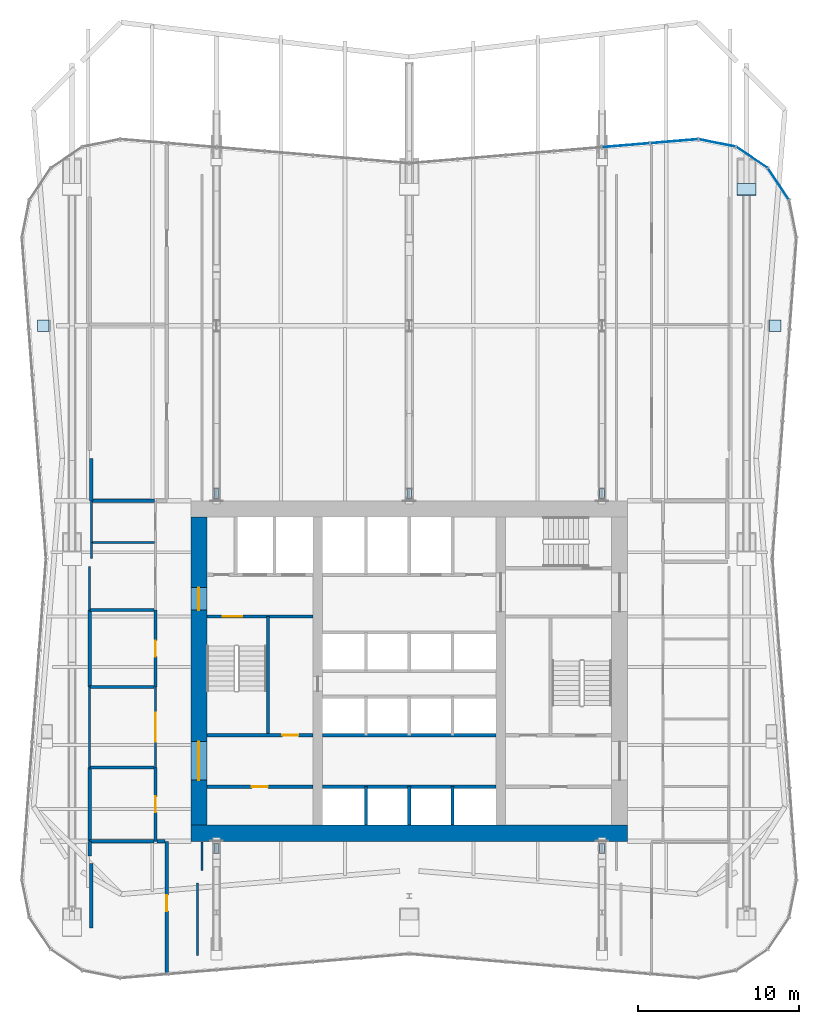
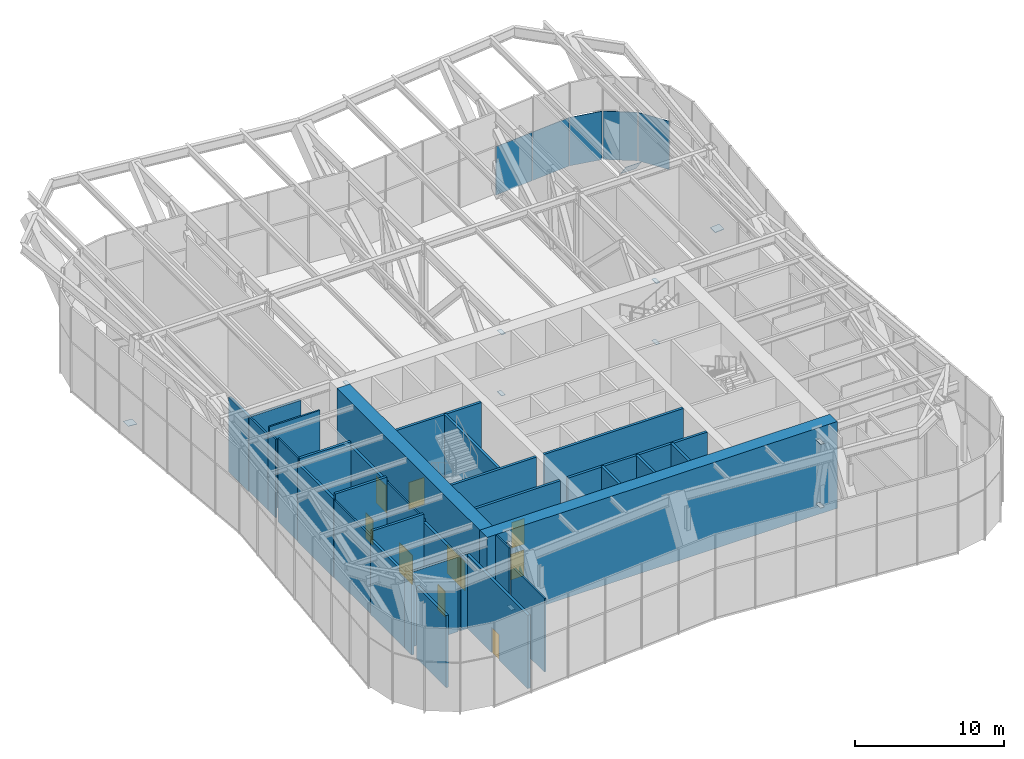
# One storey, part 10 of 16: 33 walls, 18 plates, 9 doors, 9 openings, 2 elements without a shape of their own.
"""IFC4 building model written with IfcOpenShell, lengths in metres."""

from ifc_helpers import new_model, si_unit, direction, frame, frame_2d, origin, origin_2d, place, context, subcontext, project, spatial, rectangle, extrude, material, layer, layer_set, type_object, element, fill, aggregate, save


model = new_model("IFC4")

# Units and contexts
model_context = context("Model", 3, precision=1e-05, world=origin(), true_north=direction((0.0, 1.0)))
body_context = subcontext(model_context, "Body", "Model", "MODEL_VIEW")
ifc_project = project(units=[si_unit("LENGTHUNIT", "METRE"), si_unit("AREAUNIT", "SQUARE_METRE"), si_unit("VOLUMEUNIT", "CUBIC_METRE"), si_unit("PLANEANGLEUNIT", "RADIAN"), si_unit("MASSUNIT", "GRAM", prefix="KILO")], contexts=[model_context])

# Site, building, storey
site_placement = place(None, origin())
site = spatial("IfcSite", under=ifc_project, at=site_placement, CompositionType="ELEMENT")
building_placement = place(site_placement, origin())
building = spatial("IfcBuilding", under=site, at=building_placement, Name="Verdant Reach Tower", CompositionType="ELEMENT")
storey_placement = place(building_placement, frame((0.0, 0.0, 170.0)))
storey = spatial("IfcBuildingStorey", under=building, at=storey_placement, Name="L39 Plant", CompositionType="ELEMENT", Elevation=170.0)

# Curtain wall, plates
ifc_material_1 = material(Name="Anodised aluminium", Category="aluminium")
curtain_wall_type = type_object("IfcCurtainWallType", Name="EN-CW SYSTEM PLANT", PredefinedType="NOTDEFINED", material=ifc_material_1)
curtain_wall_1_placement = place(storey_placement, origin())
curtain_wall_1 = element("IfcCurtainWall", 1, at=curtain_wall_1_placement, inside=storey, type_object=curtain_wall_type, Name="Curtain wall north-east corner, L39", PredefinedType="NOTDEFINED")
ifc_material_2 = material(Name="Bronze anodised aluminium solid panel", Category="aluminium")
ifc_layer_1 = layer(ifc_material_2, 0.0400390625)
ifc_layer_set_1 = layer_set([ifc_layer_1], Name="EN-PANEL SOLID")
plate_type_1 = type_object("IfcPlateType", Name="EN-PANEL SOLID", PredefinedType="CURTAIN_PANEL", material=ifc_layer_set_1)
plate_1_placement = place(storey_placement, frame((22.989990234375, 58.334228515625, -0.199951171875), z_axis=(0.0, 0.0, 1.0), x_axis=(-0.555596466265, 0.83145208321, 0.0)))
plate_1 = element("IfcPlate", 2, at=plate_1_placement, type_object=plate_type_1, Name="Solid panel north-east corner 2.1, L39", PredefinedType="CURTAIN_PANEL", context=body_context, shape_type="SweptSolid", body=[
    extrude(rectangle(XDim=2.3115234375, YDim=0.0400390625, at=origin_2d()), origin(), (0.0, 0.0, 1.0), 3.97509765625),
])
plate_2_placement = place(storey_placement, frame((21.334228515625, 59.989990234375, -0.199951171875), z_axis=(0.0, 0.0, 1.0), x_axis=(-0.83145208321, 0.555596466265, 0.0)))
plate_2 = element("IfcPlate", 3, at=plate_2_placement, type_object=plate_type_1, Name="Solid panel north-east corner 3.1, L39", PredefinedType="CURTAIN_PANEL", context=body_context, shape_type="SweptSolid", body=[
    extrude(rectangle(XDim=2.3115234375, YDim=0.0400390625, at=origin_2d()), origin(), (0.0, 0.0, 1.0), 3.97509765625),
])
plate_3_placement = place(storey_placement, frame((19.174072265625, 60.885986328125, -0.199951171875), z_axis=(0.0, 0.0, 1.0), x_axis=(-0.980694678629, 0.195545256419, 0.0)))
plate_3 = element("IfcPlate", 4, at=plate_3_placement, type_object=plate_type_1, Name="Solid panel north-east corner 4.1, L39", PredefinedType="CURTAIN_PANEL", context=body_context, shape_type="SweptSolid", body=[
    extrude(rectangle(XDim=2.304931640625, YDim=0.0400390625, at=origin_2d()), origin(), (0.0, 0.0, 1.0), 3.97509765625),
])
aggregate(curtain_wall_1, [plate_1, plate_2, plate_3])

curtain_wall_2_placement = place(storey_placement, origin())
curtain_wall_2 = element("IfcCurtainWall", 5, at=curtain_wall_2_placement, inside=storey, type_object=curtain_wall_type, Name="Curtain wall north, L39", PredefinedType="NOTDEFINED")
plate_4_placement = place(storey_placement, frame((16.49853515625, 60.99365234375, -0.199951171875), z_axis=(0.0, 0.0, 1.0), x_axis=(-0.996577509664, -0.082663578629, 0.0)))
plate_4 = element("IfcPlate", 6, at=plate_4_placement, type_object=plate_type_1, Name="Solid panel north face part 1 1.1, L39", PredefinedType="CURTAIN_PANEL", context=body_context, shape_type="SweptSolid", body=[
    extrude(rectangle(XDim=2.950927734375, YDim=0.0400390625, at=origin_2d()), origin(), (0.0, 0.0, 1.0), 3.97509765625),
])
plate_5_placement = place(storey_placement, frame((13.490234375, 60.74365234375, -0.199951171875), z_axis=(0.0, 0.0, 1.0), x_axis=(-0.996545758244, -0.083045479859, 0.0)))
plate_5 = element("IfcPlate", 7, at=plate_5_placement, type_object=plate_type_1, Name="Solid panel north face part 1 2.1, L39", PredefinedType="CURTAIN_PANEL", context=body_context, shape_type="SweptSolid", body=[
    extrude(rectangle(XDim=2.934326171875, YDim=0.0400390625, at=origin_2d()), origin(), (0.0, 0.0, 1.0), 3.97509765625),
])
aggregate(curtain_wall_2, [plate_4, plate_5])

# Plates
ifc_material_3 = material(Name="Steel S460", Category="steel")
ifc_layer_2 = layer(ifc_material_3, 0.02001953125)
ifc_layer_set_2 = layer_set([ifc_layer_2], Name="ST-PLATE-END20")
plate_type_2 = type_object("IfcPlateType", Name="ST-PLATE-END20", PredefinedType="SHEET", material=ifc_layer_set_2)
plate_6_placement = place(storey_placement, frame((21.0, 57.98388671875, 0.482177734375), z_axis=(0.0, 0.802910201746, 0.596099998266), x_axis=(-1.0, 0.0, 0.0)))
element("IfcPlate", 8, at=plate_6_placement, inside=storey, type_object=plate_type_2, Name="Cap plate, mega column north-east, L39 Plant", PredefinedType="SHEET", context=body_context, shape_type="SweptSolid", body=[
    extrude(rectangle(XDim=1.199951171875, YDim=1.199951171875, at=origin_2d()), origin(), (0.0, 0.0, 1.0), 0.02001953125),
])
for number, where, z_axis, x_axis, name in (
    (9, (22.7890625, 49.5, 0.029296875), (-0.072975638312, 0.0, 0.997333723592), (0.0, -1.0, 0.0), "Cap plate, perimeter column east 2, L39 Plant"),
    (10, (-22.7890625, 49.5, 0.029296875), (0.072975638312, 0.0, 0.997333723592), (0.0, 1.0, 0.0), "Cap plate, perimeter column west 2, L39 Plant"),
):
    element("IfcPlate", number, at=place(storey_placement, frame(where, z_axis=z_axis, x_axis=x_axis)), inside=storey, type_object=plate_type_2, Name=name, PredefinedType="SHEET", context=body_context, shape_type="SweptSolid", body=[
        extrude(rectangle(XDim=0.699951171875, YDim=0.699951171875, at=origin_2d()), origin(), (0.0, 0.0, 1.0), 0.02001953125),
    ])
for number, where, z_axis, x_axis, name in (
    (11, (-12.0, 39.050048828125, 0.81396484375), (0.0, 0.0, 1.0), (1.0, 0.0, 0.0), "End plate, outrigger truss C north end post bottom, L39 Plant"),
    (12, (-12.0, 39.050048828125, 5.842041015625), (0.0, 0.0, 1.0), (1.0, 0.0, 0.0), "End plate, outrigger truss C north end post top, L39 Plant"),
    (13, (-12.0, 16.949951171875, 0.81396484375), (0.0, 0.0, 1.0), (1.0, 0.0, 0.0), "End plate, outrigger truss C south end post bottom, L39 Plant"),
    (14, (-12.0, 16.949951171875, 6.035888671875), (0.0, 0.0, 1.0), (1.0, 0.0, 0.0), "End plate, outrigger truss C south end post top, L39 Plant"),
    (15, (0.0, 39.050048828125, 0.81396484375), (0.0, 0.0, 1.0), (1.0, 0.0, 0.0), "End plate, outrigger truss D north end post bottom, L39 Plant"),
    (16, (0.0, 39.050048828125, 5.842041015625), (0.0, 0.0, 1.0), (1.0, 0.0, 0.0), "End plate, outrigger truss D north end post top, L39 Plant"),
    (17, (12.0, 39.050048828125, 0.81396484375), (0.0, 0.0, 1.0), (1.0, 0.0, 0.0), "End plate, outrigger truss E north end post bottom, L39 Plant"),
    (18, (12.0, 39.050048828125, 5.842041015625), (0.0, 0.0, 1.0), (1.0, 0.0, 0.0), "End plate, outrigger truss E north end post top, L39 Plant"),
    (19, (12.0, 16.949951171875, 0.81396484375), (0.0, 0.0, 1.0), (1.0, 0.0, 0.0), "End plate, outrigger truss E south end post bottom, L39 Plant"),
    (20, (12.0, 16.949951171875, 6.035888671875), (0.0, 0.0, 1.0), (1.0, 0.0, 0.0), "End plate, outrigger truss E south end post top, L39 Plant"),
):
    element("IfcPlate", number, at=place(storey_placement, frame(where, z_axis=z_axis, x_axis=x_axis)), inside=storey, type_object=plate_type_2, Name=name, PredefinedType="SHEET", context=body_context, shape_type="SweptSolid", body=[
        extrude(rectangle(XDim=0.304931640625, YDim=0.6201171875, at=origin_2d()), origin(), (0.0, 0.0, 1.0), 0.02001953125),
    ])

# Wall, opening, door
ifc_material_4 = material(Name="Gypsum board on steel studs", Category="steel")
ifc_layer_3 = layer(ifc_material_4, 0.199951171875)
ifc_layer_set_3 = layer_set([ifc_layer_3], Name="CO-WALL-ROOM")
wall_type_1 = type_object("IfcWallType", Name="CO-WALL-ROOM", PredefinedType="PARTITIONING", material=ifc_layer_set_3)
wall_1_placement = place(storey_placement, frame((-12.60009765625, 20.800048828125, 0.0), z_axis=(0.0, 0.0, 1.0), x_axis=(1.0, 0.0, 0.0)))
wall_1 = element("IfcWall", 21, at=wall_1_placement, inside=storey, type_object=wall_type_1, Name="Core partition, L39 Plant", PredefinedType="PARTITIONING", context=body_context, shape_type="SweptSolid", body=[
    extrude(rectangle(XDim=6.60009765625, YDim=0.199951171875, at=frame_2d((3.300048828125, 0.0))), origin(), (0.0, 0.0, 1.0), 6.8701171875),
])
opening_1_placement = place(wall_1_placement, frame((2.800048828125, 0.0, 0.0)))
opening_1 = element("IfcOpeningElement", 22, at=opening_1_placement, cuts=wall_1, Name="Opening CD", PredefinedType="OPENING", context=body_context, shape_type="SweptSolid", body=[
    extrude(rectangle(XDim=1.0, YDim=2.10009765625, at=frame_2d((0.5, 1.050048828125))), frame((0.0, 0.10986328125, 0.0), z_axis=(0.0, -1.0, 0.0), x_axis=(1.0, 0.0, 0.0)), (0.0, 0.0, 1.0), 0.219970703125),
])
ifc_material_5 = material(Name="Timber", Category="wood")
door_type_1 = type_object("IfcDoorType", Name="CO-DOOR-ROOM", OperationType="NOTDEFINED", PredefinedType="DOOR", material=ifc_material_5)
door_1_placement = place(opening_1_placement, origin())
door_1 = element("IfcDoor", 23, at=door_1_placement, inside=storey, type_object=door_type_1, Name="Core room door, L39 Plant", OperationType="SINGLE_SWING_LEFT", OverallHeight=2.10009765625, OverallWidth=1.0, PredefinedType="DOOR", context=body_context, shape_type="SweptSolid", body=[
    extrude(rectangle(XDim=1.0, YDim=2.10009765625, at=frame_2d((0.5, 1.050048828125))), frame((0.0, 0.02490234375, 0.0), z_axis=(0.0, -1.0, 0.0), x_axis=(1.0, 0.0, 0.0)), (0.0, 0.0, 1.0), 0.050048828125),
])
fill(opening_1, door_1)

# Walls
ifc_material_6 = material(Name="Concrete C40/50", Category="concrete")
ifc_layer_4 = layer(ifc_material_6, 0.199951171875)
ifc_layer_set_4 = layer_set([ifc_layer_4], Name="CO-WALL-SHAFT")
wall_type_2 = type_object("IfcWallType", Name="CO-WALL-SHAFT", PredefinedType="PARTITIONING", material=ifc_layer_set_4)
for number, where, z_axis, x_axis, name in (
    (24, (-5.39990234375, 20.800048828125, 0.0), (0.0, 0.0, 1.0), (1.0, 0.0, 0.0), "Lift shaft wall, L39 Plant"),
    (25, (-5.39990234375, 24.0, 0.0), (0.0, 0.0, 1.0), (1.0, 0.0, 0.0), "Lift shaft wall, L39 Plant"),
):
    element("IfcWall", number, at=place(storey_placement, frame(where, z_axis=z_axis, x_axis=x_axis)), inside=storey, type_object=wall_type_2, Name=name, PredefinedType="PARTITIONING", context=body_context, shape_type="SweptSolid", body=[
        extrude(rectangle(XDim=10.7998046875, YDim=0.199951171875, at=frame_2d((5.39990234375, 0.0))), origin(), (0.0, 0.0, 1.0), 6.8701171875),
    ])
for number, where, z_axis, x_axis, name in (
    (26, (-2.699951171875, 18.39990234375, 0.0), (0.0, 0.0, 1.0), (0.0, 1.0, 0.0), "Lift shaft wall, L39 Plant"),
    (27, (0.0, 18.39990234375, 0.0), (0.0, 0.0, 1.0), (0.0, 1.0, 0.0), "Lift shaft wall, L39 Plant"),
    (28, (2.699951171875, 18.39990234375, 0.0), (0.0, 0.0, 1.0), (0.0, 1.0, 0.0), "Lift shaft wall, L39 Plant"),
):
    element("IfcWall", number, at=place(storey_placement, frame(where, z_axis=z_axis, x_axis=x_axis)), inside=storey, type_object=wall_type_2, Name=name, PredefinedType="PARTITIONING", context=body_context, shape_type="SweptSolid", body=[
        extrude(rectangle(XDim=2.400146484375, YDim=0.199951171875, at=frame_2d((1.2001953125, 0.0))), origin(), (0.0, 0.0, 1.0), 6.8701171875),
    ])

# Wall, opening, door
ifc_layer_5 = layer(ifc_material_6, 0.199951171875)
ifc_layer_set_5 = layer_set([ifc_layer_5], Name="CO-WALL-STAIR")
wall_type_3 = type_object("IfcWallType", Name="CO-WALL-STAIR", PredefinedType="PARTITIONING", material=ifc_layer_set_5)
wall_2_placement = place(storey_placement, frame((-12.60009765625, 24.0, 0.0), z_axis=(0.0, 0.0, 1.0), x_axis=(1.0, 0.0, 0.0)))
wall_2 = element("IfcWall", 29, at=wall_2_placement, inside=storey, type_object=wall_type_3, Name="Stair enclosure wall, L39 Plant", PredefinedType="PARTITIONING", context=body_context, shape_type="SweptSolid", body=[
    extrude(rectangle(XDim=6.60009765625, YDim=0.199951171875, at=frame_2d((3.300048828125, 0.0))), origin(), (0.0, 0.0, 1.0), 6.8701171875),
])
opening_2_placement = place(wall_2_placement, frame((4.699951171875, 0.0, 0.0)))
opening_2 = element("IfcOpeningElement", 30, at=opening_2_placement, cuts=wall_2, Name="Opening CD", PredefinedType="OPENING", context=body_context, shape_type="SweptSolid", body=[
    extrude(rectangle(XDim=1.0, YDim=2.10009765625, at=frame_2d((0.5, 1.050048828125))), frame((0.0, 0.10986328125, 0.0), z_axis=(0.0, -1.0, 0.0), x_axis=(1.0, 0.0, 0.0)), (0.0, 0.0, 1.0), 0.219970703125),
])
door_2_placement = place(opening_2_placement, origin())
door_2 = element("IfcDoor", 31, at=door_2_placement, inside=storey, type_object=door_type_1, Name="Core room door, L39 Plant", OperationType="SINGLE_SWING_RIGHT", OverallHeight=2.10009765625, OverallWidth=1.0, PredefinedType="DOOR", context=body_context, shape_type="SweptSolid", body=[
    extrude(rectangle(XDim=1.0, YDim=2.10009765625, at=frame_2d((0.5, 1.050048828125))), frame((0.0, 0.02490234375, 0.0), z_axis=(0.0, -1.0, 0.0), x_axis=(1.0, 0.0, 0.0)), (0.0, 0.0, 1.0), 0.050048828125),
])
fill(opening_2, door_2)

wall_3_placement = place(storey_placement, frame((-12.60009765625, 31.39990234375, 0.0), z_axis=(0.0, 0.0, 1.0), x_axis=(1.0, 0.0, 0.0)))
wall_3 = element("IfcWall", 32, at=wall_3_placement, inside=storey, type_object=wall_type_3, Name="Stair enclosure wall, L39 Plant", PredefinedType="PARTITIONING", context=body_context, shape_type="SweptSolid", body=[
    extrude(rectangle(XDim=6.60009765625, YDim=0.199951171875, at=frame_2d((3.300048828125, 0.0))), origin(), (0.0, 0.0, 1.0), 6.8701171875),
])
opening_3_placement = place(wall_3_placement, frame((1.0, 0.0, 0.0)))
opening_3 = element("IfcOpeningElement", 33, at=opening_3_placement, cuts=wall_3, Name="Opening SD", PredefinedType="OPENING", context=body_context, shape_type="SweptSolid", body=[
    extrude(rectangle(XDim=1.199951171875, YDim=2.199951171875, at=frame_2d((0.60009765625, 1.10009765625))), frame((0.0, 0.10986328125, 0.0), z_axis=(0.0, -1.0, 0.0), x_axis=(1.0, 0.0, 0.0)), (0.0, 0.0, 1.0), 0.219970703125),
])
ifc_material_7 = material(Name="Steel", Category="steel")
door_type_2 = type_object("IfcDoorType", Name="CO-DOOR-STAIR", OperationType="NOTDEFINED", PredefinedType="DOOR", material=ifc_material_7)
door_3_placement = place(opening_3_placement, origin())
door_3 = element("IfcDoor", 34, at=door_3_placement, inside=storey, type_object=door_type_2, Name="Stair door, L39 Plant", OperationType="SINGLE_SWING_RIGHT", OverallHeight=2.199951171875, OverallWidth=1.199951171875, PredefinedType="DOOR", context=body_context, shape_type="SweptSolid", body=[
    extrude(rectangle(XDim=1.199951171875, YDim=2.199951171875, at=frame_2d((0.60009765625, 1.10009765625))), frame((0.0, 0.02490234375, 0.0), z_axis=(0.0, -1.0, 0.0), x_axis=(1.0, 0.0, 0.0)), (0.0, 0.0, 1.0), 0.050048828125),
])
fill(opening_3, door_3)

# Walls
wall_4_placement = place(storey_placement, frame((-8.800048828125, 24.0, 0.0), z_axis=(0.0, 0.0, 1.0), x_axis=(0.0, 1.0, 0.0)))
element("IfcWall", 35, at=wall_4_placement, inside=storey, type_object=wall_type_3, Name="Stair enclosure wall, L39 Plant", PredefinedType="PARTITIONING", context=body_context, shape_type="SweptSolid", body=[
    extrude(rectangle(XDim=7.39990234375, YDim=0.199951171875, at=frame_2d((3.699951171875, 0.0))), origin(), (0.0, 0.0, 1.0), 6.8701171875),
])
ifc_material_8 = material(Name="Concrete C70/85", Category="concrete")
ifc_layer_6 = layer(ifc_material_8, 1.0)
ifc_layer_set_6 = layer_set([ifc_layer_6], Name="ST-CORE-WALL-1000")
wall_type_4 = type_object("IfcWallType", Name="ST-CORE-WALL-1000", PredefinedType="SHEAR", material=ifc_layer_set_6)
wall_5_placement = place(storey_placement, frame((-13.60009765625, 17.89990234375, -0.25), z_axis=(0.0, 0.0, 1.0), x_axis=(1.0, 0.0, 0.0)))
element("IfcWall", 36, at=wall_5_placement, inside=storey, type_object=wall_type_4, Name="Core wall S, L39 Plant", PredefinedType="SHEAR", context=body_context, shape_type="SweptSolid", body=[
    extrude(rectangle(XDim=27.2001953125, YDim=1.0, at=frame_2d((13.60009765625, 0.0))), origin(), (0.0, 0.0, 1.0), 7.1201171875),
])

# Wall, openings, doors
wall_6_placement = place(storey_placement, frame((-13.10009765625, 18.39990234375, -0.25), z_axis=(0.0, 0.0, 1.0), x_axis=(0.0, 1.0, 0.0)))
wall_6 = element("IfcWall", 37, at=wall_6_placement, inside=storey, type_object=wall_type_4, Name="Core wall W, L39 Plant", PredefinedType="SHEAR", context=body_context, shape_type="SweptSolid", body=[
    extrude(rectangle(XDim=19.2001953125, YDim=1.0, at=frame_2d((9.60009765625, 0.0))), origin(), (0.0, 0.0, 1.0), 7.1201171875),
])
opening_4_placement = place(wall_6_placement, frame((2.800048828125, 0.0, 0.25)))
opening_4 = element("IfcOpeningElement", 38, at=opening_4_placement, cuts=wall_6, Name="Opening LB", PredefinedType="OPENING", context=body_context, shape_type="SweptSolid", body=[
    extrude(rectangle(XDim=2.39990234375, YDim=2.39990234375, at=frame_2d((1.199951171875, 1.199951171875))), frame((0.0, 0.510009765625, 0.0), z_axis=(0.0, -1.0, 0.0), x_axis=(1.0, 0.0, 0.0)), (0.0, 0.0, 1.0), 1.02001953125),
])
opening_5_placement = place(wall_6_placement, frame((13.39990234375, 0.0, 0.25)))
opening_5 = element("IfcOpeningElement", 39, at=opening_5_placement, cuts=wall_6, Name="Opening FL", PredefinedType="OPENING", context=body_context, shape_type="SweptSolid", body=[
    extrude(rectangle(XDim=1.39990234375, YDim=2.199951171875, at=frame_2d((0.699951171875, 1.10009765625))), frame((0.0, 0.510009765625, 0.0), z_axis=(0.0, -1.0, 0.0), x_axis=(1.0, 0.0, 0.0)), (0.0, 0.0, 1.0), 1.02001953125),
])
door_type_3 = type_object("IfcDoorType", Name="CO-DOOR-FFL", OperationType="NOTDEFINED", PredefinedType="DOOR", material=ifc_material_7)
door_4_placement = place(opening_5_placement, origin())
door_4 = element("IfcDoor", 40, at=door_4_placement, inside=storey, type_object=door_type_3, Name="Core entrance door, L39 Plant", OperationType="SINGLE_SWING_RIGHT", OverallHeight=2.199951171875, OverallWidth=1.39990234375, PredefinedType="DOOR", context=body_context, shape_type="SweptSolid", body=[
    extrude(rectangle(XDim=1.39990234375, YDim=2.199951171875, at=frame_2d((0.699951171875, 1.10009765625))), frame((0.0, 0.02490234375, 0.0), z_axis=(0.0, -1.0, 0.0), x_axis=(1.0, 0.0, 0.0)), (0.0, 0.0, 1.0), 0.050048828125),
])
fill(opening_5, door_4)
ifc_material_9 = material(Name="Glass and steel", Category="steel")
door_type_4 = type_object("IfcDoorType", Name="CO-DOOR-LOBBY", OperationType="DOUBLE_DOOR_SINGLE_SWING", PredefinedType="DOOR", material=ifc_material_9)
door_5_placement = place(opening_4_placement, origin())
door_5 = element("IfcDoor", 41, at=door_5_placement, inside=storey, type_object=door_type_4, Name="Core entrance door, L39 Plant", OperationType="DOUBLE_DOOR_SINGLE_SWING", OverallHeight=2.39990234375, OverallWidth=2.39990234375, PredefinedType="DOOR", context=body_context, shape_type="SweptSolid", body=[
    extrude(rectangle(XDim=2.39990234375, YDim=2.39990234375, at=frame_2d((1.199951171875, 1.199951171875))), frame((0.0, 0.02490234375, 0.0), z_axis=(0.0, -1.0, 0.0), x_axis=(1.0, 0.0, 0.0)), (0.0, 0.0, 1.0), 0.050048828125),
])
fill(opening_4, door_5)

# Wall, opening, door
ifc_material_10 = material(Name="Gypsum board on steel studs, fire rated", Category="steel")
ifc_layer_7 = layer(ifc_material_10, 0.125)
ifc_layer_set_7 = layer_set([ifc_layer_7], Name="SV-W2 Plant wall 125 EI 60")
wall_type_5 = type_object("IfcWallType", Name="SV-W2 Plant wall 125 EI 60", PredefinedType="PARTITIONING", material=ifc_layer_set_7)
wall_7_placement = place(storey_placement, frame((-15.800048828125, 27.0, 0.0), z_axis=(0.0, 0.0, 1.0), x_axis=(0.0, -1.0, 0.0)))
wall_7 = element("IfcWall", 42, at=wall_7_placement, inside=storey, type_object=wall_type_5, Name="Partition L39.19", PredefinedType="PARTITIONING", context=body_context, shape_type="SweptSolid", body=[
    extrude(rectangle(XDim=5.0, YDim=0.125, at=frame_2d((2.5, 0.0))), origin(), (0.0, 0.0, 1.0), 6.389892578125),
])
opening_6_placement = place(wall_7_placement, frame((1.60009765625, 0.0, 0.0)))
opening_6 = element("IfcOpeningElement", 43, at=opening_6_placement, cuts=wall_7, Name="Opening SD3", PredefinedType="OPENING", context=body_context, shape_type="SweptSolid", body=[
    extrude(rectangle(XDim=1.800048828125, YDim=2.39990234375, at=frame_2d((0.89990234375, 1.199951171875))), frame((0.0, 0.072509765625, 0.0), z_axis=(0.0, -1.0, 0.0), x_axis=(1.0, 0.0, 0.0)), (0.0, 0.0, 1.0), 0.14501953125),
])
ifc_material_11 = material(Name="Steel door leaves, fire rated", Category="steel")
door_type_5 = type_object("IfcDoorType", Name="SV-D3 Equipment door 1800x2400 FD60", OperationType="DOUBLE_DOOR_SINGLE_SWING", PredefinedType="DOOR", material=ifc_material_11)
door_6_placement = place(opening_6_placement, origin())
door_6 = element("IfcDoor", 44, at=door_6_placement, inside=storey, type_object=door_type_5, Name="Door L39-010", OperationType="DOUBLE_DOOR_SINGLE_SWING", OverallHeight=2.39990234375, OverallWidth=1.800048828125, PredefinedType="DOOR", context=body_context, shape_type="SweptSolid", body=[
    extrude(rectangle(XDim=1.800048828125, YDim=2.39990234375, at=frame_2d((0.89990234375, 1.199951171875))), frame((0.0, 0.02490234375, 0.0), z_axis=(0.0, -1.0, 0.0), x_axis=(1.0, 0.0, 0.0)), (0.0, 0.0, 1.0), 0.050048828125),
])
fill(opening_6, door_6)

# Walls
wall_8_placement = place(storey_placement, frame((-19.800048828125, 36.0, 0.0), z_axis=(0.0, 0.0, 1.0), x_axis=(1.0, 0.0, 0.0)))
element("IfcWall", 45, at=wall_8_placement, inside=storey, type_object=wall_type_5, Name="Partition L39.32", PredefinedType="PARTITIONING", context=body_context, shape_type="SweptSolid", body=[
    extrude(rectangle(XDim=3.9375, YDim=0.125, at=frame_2d((1.96875, 0.0))), origin(), (0.0, 0.0, 1.0), 6.8701171875),
])
wall_9_placement = place(storey_placement, frame((-12.89990234375, 17.35009765625, 0.0), z_axis=(0.0, 0.0, 1.0), x_axis=(0.0, -1.0, 0.0)))
element("IfcWall", 46, at=wall_9_placement, inside=storey, type_object=wall_type_5, Name="Partition L39.49", PredefinedType="PARTITIONING", context=body_context, shape_type="SweptSolid", body=[
    extrude(rectangle(XDim=1.758056640625, YDim=0.125, at=frame_2d((0.87890625, 0.0))), origin(), (0.0, 0.0, 1.0), 6.8701171875),
])
wall_10_placement = place(storey_placement, frame((-13.199951171875, 14.800048828125, 0.0), z_axis=(0.0, 0.0, 1.0), x_axis=(0.0, -1.0, 0.0)))
element("IfcWall", 47, at=wall_10_placement, inside=storey, type_object=wall_type_5, Name="Partition L39.50", PredefinedType="PARTITIONING", context=body_context, shape_type="SweptSolid", body=[
    extrude(rectangle(XDim=4.5, YDim=0.125, at=frame_2d((2.25, 0.0))), origin(), (0.0, 0.0, 1.0), 6.0400390625),
])
wall_11_placement = place(storey_placement, frame((-19.89990234375, 22.001953125, 0.0), z_axis=(0.0, 0.0, 1.0), x_axis=(0.0, 1.0, 0.0)))
element("IfcWall", 48, at=wall_11_placement, inside=storey, type_object=wall_type_5, Name="Partition L39.52", PredefinedType="PARTITIONING", context=body_context, shape_type="SweptSolid", body=[
    extrude(rectangle(XDim=4.99609375, YDim=0.125, at=frame_2d((2.498046875, 0.0))), origin(), (0.0, 0.0, 1.0), 6.389892578125),
])
wall_12_placement = place(storey_placement, frame((-19.89990234375, 31.802001953125, 0.0), z_axis=(0.0, 0.0, 1.0), x_axis=(0.0, 1.0, 0.0)))
element("IfcWall", 49, at=wall_12_placement, inside=storey, type_object=wall_type_5, Name="Partition L39.54", PredefinedType="PARTITIONING", context=body_context, shape_type="SweptSolid", body=[
    extrude(rectangle(XDim=2.719970703125, YDim=0.125, at=frame_2d((1.35986328125, 0.0))), origin(), (0.0, 0.0, 1.0), 6.8701171875),
])
wall_13_placement = place(storey_placement, frame((-19.800048828125, 35.0, 0.0), z_axis=(0.0, 0.0, 1.0), x_axis=(0.0, 1.0, 0.0)))
element("IfcWall", 50, at=wall_13_placement, inside=storey, type_object=wall_type_5, Name="Partition L39.55", PredefinedType="PARTITIONING", context=body_context, shape_type="SweptSolid", body=[
    extrude(rectangle(XDim=0.998046875, YDim=0.125, at=frame_2d((0.4990234375, 0.0))), origin(), (0.0, 0.0, 1.0), 6.43994140625),
])
wall_14_placement = place(storey_placement, frame((-19.800048828125, 36.001953125, 0.0), z_axis=(0.0, 0.0, 1.0), x_axis=(0.0, 1.0, 0.0)))
element("IfcWall", 51, at=wall_14_placement, inside=storey, type_object=wall_type_5, Name="Partition L39.56", PredefinedType="PARTITIONING", context=body_context, shape_type="SweptSolid", body=[
    extrude(rectangle(XDim=2.595947265625, YDim=0.125, at=frame_2d((1.2978515625, 0.0))), origin(), (0.0, 0.0, 1.0), 6.139892578125),
])

# Wall, opening, door
ifc_material_12 = material(Name="Calcium silicate board on steel studs, fire rated", Category="steel")
ifc_layer_8 = layer(ifc_material_12, 0.199951171875)
ifc_layer_set_8 = layer_set([ifc_layer_8], Name="SV-W3 Fire wall 200 EI 120")
wall_type_6 = type_object("IfcWallType", Name="SV-W3 Fire wall 200 EI 120", PredefinedType="PARTITIONING", material=ifc_layer_set_8)
wall_15_placement = place(storey_placement, frame((-15.800048828125, 22.0, 0.0), z_axis=(0.0, 0.0, 1.0), x_axis=(0.0, -1.0, 0.0)))
wall_15 = element("IfcWall", 52, at=wall_15_placement, inside=storey, type_object=wall_type_6, Name="Partition L39.18", PredefinedType="PARTITIONING", context=body_context, shape_type="SweptSolid", body=[
    extrude(rectangle(XDim=4.60009765625, YDim=0.199951171875, at=frame_2d((2.300048828125, 0.0))), origin(), (0.0, 0.0, 1.0), 6.139892578125),
])
opening_7_placement = place(wall_15_placement, frame((1.800048828125, 0.0, 0.0)))
opening_7 = element("IfcOpeningElement", 53, at=opening_7_placement, cuts=wall_15, Name="Opening SD4", PredefinedType="OPENING", context=body_context, shape_type="SweptSolid", body=[
    extrude(rectangle(XDim=1.0, YDim=2.10009765625, at=frame_2d((0.5, 1.050048828125))), frame((0.0, 0.10986328125, 0.0), z_axis=(0.0, -1.0, 0.0), x_axis=(1.0, 0.0, 0.0)), (0.0, 0.0, 1.0), 0.219970703125),
])
ifc_material_13 = material(Name="Steel door leaf, fire rated", Category="steel")
door_type_6 = type_object("IfcDoorType", Name="SV-D4 Door 1000x2100 FD120", OperationType="NOTDEFINED", PredefinedType="DOOR", material=ifc_material_13)
door_7_placement = place(opening_7_placement, origin())
door_7 = element("IfcDoor", 54, at=door_7_placement, inside=storey, type_object=door_type_6, Name="Door L39-009", OperationType="SINGLE_SWING_LEFT", OverallHeight=2.10009765625, OverallWidth=1.0, PredefinedType="DOOR", context=body_context, shape_type="SweptSolid", body=[
    extrude(rectangle(XDim=1.0, YDim=2.10009765625, at=frame_2d((0.5, 1.050048828125))), frame((0.0, 0.02490234375, 0.0), z_axis=(0.0, -1.0, 0.0), x_axis=(1.0, 0.0, 0.0)), (0.0, 0.0, 1.0), 0.050048828125),
])
fill(opening_7, door_7)

wall_16_placement = place(storey_placement, frame((-15.800048828125, 31.800048828125, 0.0), z_axis=(0.0, 0.0, 1.0), x_axis=(0.0, -1.0, 0.0)))
wall_16 = element("IfcWall", 55, at=wall_16_placement, inside=storey, type_object=wall_type_6, Name="Partition L39.20", PredefinedType="PARTITIONING", context=body_context, shape_type="SweptSolid", body=[
    extrude(rectangle(XDim=4.800048828125, YDim=0.199951171875, at=frame_2d((2.39990234375, 0.0))), origin(), (0.0, 0.0, 1.0), 6.43994140625),
])
opening_8_placement = place(wall_16_placement, frame((1.89990234375, 0.0, 0.0)))
opening_8 = element("IfcOpeningElement", 56, at=opening_8_placement, cuts=wall_16, Name="Opening SD4", PredefinedType="OPENING", context=body_context, shape_type="SweptSolid", body=[
    extrude(rectangle(XDim=1.0, YDim=2.10009765625, at=frame_2d((0.5, 1.050048828125))), frame((0.0, 0.10986328125, 0.0), z_axis=(0.0, -1.0, 0.0), x_axis=(1.0, 0.0, 0.0)), (0.0, 0.0, 1.0), 0.219970703125),
])
door_8_placement = place(opening_8_placement, origin())
door_8 = element("IfcDoor", 57, at=door_8_placement, inside=storey, type_object=door_type_6, Name="Door L39-011", OperationType="SINGLE_SWING_LEFT", OverallHeight=2.10009765625, OverallWidth=1.0, PredefinedType="DOOR", context=body_context, shape_type="SweptSolid", body=[
    extrude(rectangle(XDim=1.0, YDim=2.10009765625, at=frame_2d((0.5, 1.050048828125))), frame((0.0, 0.02490234375, 0.0), z_axis=(0.0, -1.0, 0.0), x_axis=(1.0, 0.0, 0.0)), (0.0, 0.0, 1.0), 0.050048828125),
])
fill(opening_8, door_8)

wall_17_placement = place(storey_placement, frame((-15.10009765625, 17.39990234375, 0.0), z_axis=(0.0, 0.0, 1.0), x_axis=(0.0, -1.0, 0.0)))
wall_17 = element("IfcWall", 58, at=wall_17_placement, inside=storey, type_object=wall_type_6, Name="Partition L39.23", PredefinedType="PARTITIONING", context=body_context, shape_type="SweptSolid", body=[
    extrude(rectangle(XDim=8.23828125, YDim=0.199951171875, at=frame_2d((4.119140625, 0.0))), origin(), (0.0, 0.0, 1.0), 6.0400390625),
])
opening_9_placement = place(wall_17_placement, frame((3.353515625, 0.0, 0.0)))
opening_9 = element("IfcOpeningElement", 59, at=opening_9_placement, cuts=wall_17, Name="Opening SD4", PredefinedType="OPENING", context=body_context, shape_type="SweptSolid", body=[
    extrude(rectangle(XDim=1.0, YDim=2.10009765625, at=frame_2d((0.5, 1.050048828125))), frame((0.0, 0.10986328125, 0.0), z_axis=(0.0, -1.0, 0.0), x_axis=(1.0, 0.0, 0.0)), (0.0, 0.0, 1.0), 0.219970703125),
])
door_9_placement = place(opening_9_placement, origin())
door_9 = element("IfcDoor", 60, at=door_9_placement, inside=storey, type_object=door_type_6, Name="Door L39-014", OperationType="SINGLE_SWING_LEFT", OverallHeight=2.10009765625, OverallWidth=1.0, PredefinedType="DOOR", context=body_context, shape_type="SweptSolid", body=[
    extrude(rectangle(XDim=1.0, YDim=2.10009765625, at=frame_2d((0.5, 1.050048828125))), frame((0.0, 0.02490234375, 0.0), z_axis=(0.0, -1.0, 0.0), x_axis=(1.0, 0.0, 0.0)), (0.0, 0.0, 1.0), 0.050048828125),
])
fill(opening_9, door_9)

# Walls
wall_18_placement = place(storey_placement, frame((-15.199951171875, 17.39990234375, 0.0), z_axis=(0.0, 0.0, 1.0), x_axis=(-1.0, 0.0, 0.0)))
element("IfcWall", 61, at=wall_18_placement, inside=storey, type_object=wall_type_6, Name="Partition L39.24", PredefinedType="PARTITIONING", context=body_context, shape_type="SweptSolid", body=[
    extrude(rectangle(XDim=0.5, YDim=0.199951171875, at=frame_2d((0.25, 0.0))), origin(), (0.0, 0.0, 1.0), 6.139892578125),
])
wall_19_placement = place(storey_placement, frame((-19.89990234375, 22.0, 0.0), z_axis=(0.0, 0.0, 1.0), x_axis=(1.0, 0.0, 0.0)))
element("IfcWall", 62, at=wall_19_placement, inside=storey, type_object=wall_type_6, Name="Partition L39.28", PredefinedType="PARTITIONING", context=body_context, shape_type="SweptSolid", body=[
    extrude(rectangle(XDim=4.0, YDim=0.199951171875, at=frame_2d((2.0, 0.0))), origin(), (0.0, 0.0, 1.0), 6.8701171875),
])
wall_20_placement = place(storey_placement, frame((-15.89990234375, 17.39990234375, 0.0), z_axis=(0.0, 0.0, 1.0), x_axis=(-1.0, 0.0, 0.0)))
element("IfcWall", 63, at=wall_20_placement, inside=storey, type_object=wall_type_6, Name="Partition L39.29", PredefinedType="PARTITIONING", context=body_context, shape_type="SweptSolid", body=[
    extrude(rectangle(XDim=4.0, YDim=0.199951171875, at=frame_2d((2.0, 0.0))), origin(), (0.0, 0.0, 1.0), 6.139892578125),
])
for number, where, z_axis, x_axis, name in (
    (64, (-19.89990234375, 27.0, 0.0), (0.0, 0.0, 1.0), (1.0, 0.0, 0.0), "Partition L39.30"),
    (65, (-19.89990234375, 31.800048828125, 0.0), (0.0, 0.0, 1.0), (1.0, 0.0, 0.0), "Partition L39.31"),
):
    element("IfcWall", number, at=place(storey_placement, frame(where, z_axis=z_axis, x_axis=x_axis)), inside=storey, type_object=wall_type_6, Name=name, PredefinedType="PARTITIONING", context=body_context, shape_type="SweptSolid", body=[
        extrude(rectangle(XDim=4.0, YDim=0.199951171875, at=frame_2d((2.0, 0.0))), origin(), (0.0, 0.0, 1.0), 6.8701171875),
    ])
wall_21_placement = place(storey_placement, frame((-19.800048828125, 38.60009765625, 0.0), z_axis=(0.0, 0.0, 1.0), x_axis=(1.0, 0.0, 0.0)))
element("IfcWall", 66, at=wall_21_placement, inside=storey, type_object=wall_type_6, Name="Partition L39.33", PredefinedType="PARTITIONING", context=body_context, shape_type="SweptSolid", body=[
    extrude(rectangle(XDim=3.9375, YDim=0.199951171875, at=frame_2d((1.96875, 0.0))), origin(), (0.0, 0.0, 1.0), 6.139892578125),
])
wall_22_placement = place(storey_placement, frame((-19.89990234375, 17.402099609375, 0.0), z_axis=(0.0, 0.0, 1.0), x_axis=(0.0, 1.0, 0.0)))
element("IfcWall", 67, at=wall_22_placement, inside=storey, type_object=wall_type_6, Name="Partition L39.51", PredefinedType="PARTITIONING", context=body_context, shape_type="SweptSolid", body=[
    extrude(rectangle(XDim=4.595947265625, YDim=0.199951171875, at=frame_2d((2.2978515625, 0.0))), origin(), (0.0, 0.0, 1.0), 6.139892578125),
])
wall_23_placement = place(storey_placement, frame((-19.89990234375, 27.001953125, 0.0), z_axis=(0.0, 0.0, 1.0), x_axis=(0.0, 1.0, 0.0)))
element("IfcWall", 68, at=wall_23_placement, inside=storey, type_object=wall_type_6, Name="Partition L39.53", PredefinedType="PARTITIONING", context=body_context, shape_type="SweptSolid", body=[
    extrude(rectangle(XDim=4.796142578125, YDim=0.199951171875, at=frame_2d((2.39794921875, 0.0))), origin(), (0.0, 0.0, 1.0), 6.43994140625),
])
wall_24_placement = place(storey_placement, frame((-19.800048828125, 12.0, 0.0), z_axis=(0.0, 0.0, 1.0), x_axis=(0.0, 1.0, 0.0)))
element("IfcWall", 69, at=wall_24_placement, inside=storey, type_object=wall_type_6, Name="Partition L39.57", PredefinedType="PARTITIONING", context=body_context, shape_type="SweptSolid", body=[
    extrude(rectangle(XDim=4.0, YDim=0.199951171875, at=frame_2d((2.0, 0.0))), origin(), (0.0, 0.0, 1.0), 5.929931640625),
])
wall_25_placement = place(storey_placement, frame((-19.89990234375, 16.47802734375, 0.0), z_axis=(0.0, 0.0, 1.0), x_axis=(0.0, 1.0, 0.0)))
element("IfcWall", 70, at=wall_25_placement, inside=storey, type_object=wall_type_6, Name="Partition L39.58", PredefinedType="PARTITIONING", context=body_context, shape_type="SweptSolid", body=[
    extrude(rectangle(XDim=0.919921875, YDim=0.199951171875, at=frame_2d((0.4599609375, 0.0))), origin(), (0.0, 0.0, 1.0), 6.139892578125),
])
wall_26_placement = place(storey_placement, frame((-19.800048828125, 38.60205078125, 0.0), z_axis=(0.0, 0.0, 1.0), x_axis=(0.0, 1.0, 0.0)))
element("IfcWall", 71, at=wall_26_placement, inside=storey, type_object=wall_type_6, Name="Partition L39.59", PredefinedType="PARTITIONING", context=body_context, shape_type="SweptSolid", body=[
    extrude(rectangle(XDim=2.64794921875, YDim=0.199951171875, at=frame_2d((1.323974609375, 0.0))), origin(), (0.0, 0.0, 1.0), 6.139892578125),
])

save(model, "model.ifc")
